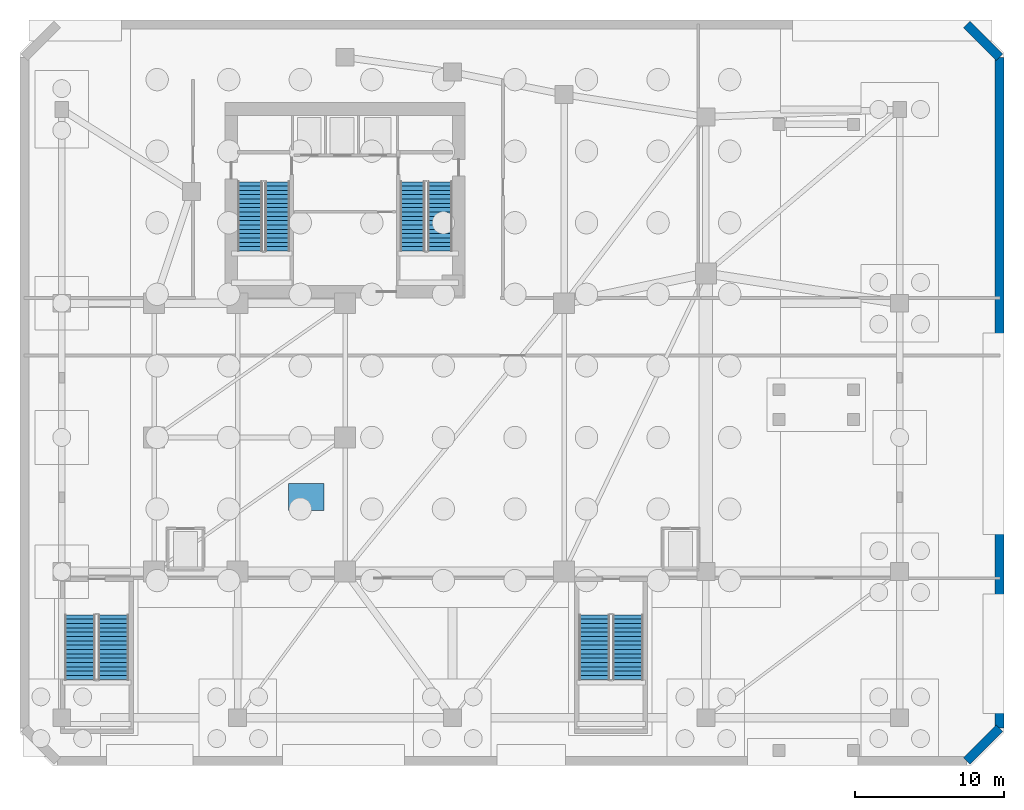
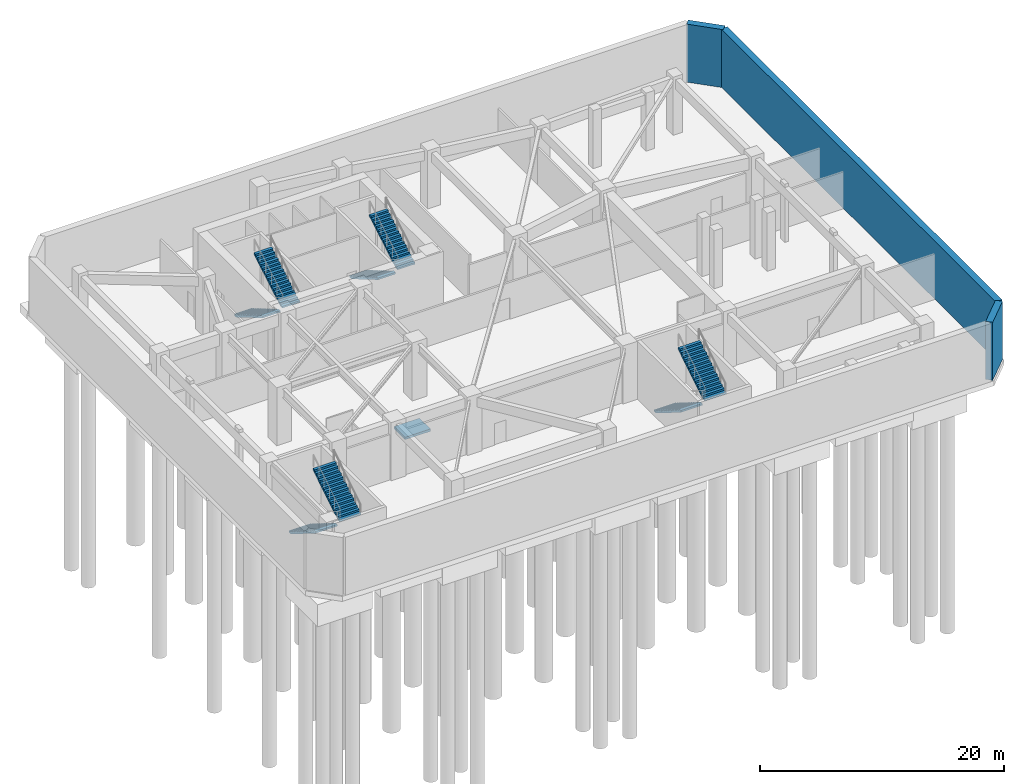
# One storey, part 6 of 9: 8 stair flights, 3 walls, 1 ramp flight, 5 elements without a shape of their own.
"""IFC4 building model written with IfcOpenShell, lengths in metres."""

from ifc_helpers import new_model, si_unit, direction, frame, frame_2d, origin, place, context, subcontext, project, spatial, polyline, rectangle, outline, extrude, material, layer, layer_set, type_object, element, aggregate, save


model = new_model("IFC4")

# Units and contexts
model_context = context("Model", 3, precision=1e-05, world=origin(), true_north=direction((0.0, 1.0)))
body_context = subcontext(model_context, "Body", "Model", "MODEL_VIEW")
ifc_project = project(units=[si_unit("LENGTHUNIT", "METRE"), si_unit("AREAUNIT", "SQUARE_METRE"), si_unit("VOLUMEUNIT", "CUBIC_METRE"), si_unit("PLANEANGLEUNIT", "RADIAN"), si_unit("MASSUNIT", "GRAM", prefix="KILO")], contexts=[model_context])

# Site, building, storey
site_placement = place(None, origin())
site = spatial("IfcSite", under=ifc_project, at=site_placement, CompositionType="ELEMENT")
building_placement = place(site_placement, origin())
building = spatial("IfcBuilding", under=site, at=building_placement, Name="Calvemar Wedge Station Tower", CompositionType="ELEMENT")
storey_placement = place(building_placement, frame((0.0, 0.0, -11.199951171875)))
storey = spatial("IfcBuildingStorey", under=building, at=storey_placement, Name="B02", CompositionType="ELEMENT", Elevation=-11.199951171875)

# Walls
ifc_material_1 = material(Name="Concrete C50", Category="concrete")
ifc_layer_1 = layer(ifc_material_1, 0.60009765625)
ifc_layer_set_1 = layer_set([ifc_layer_1], Name="Concrete C50")
wall_type = type_object("IfcWallType", Name="SW-CORE-RET-600", PredefinedType="SHEAR", material=ifc_layer_set_1)
wall_1_placement = place(storey_placement, frame((65.5, 2.300048828125, 0.0), z_axis=(0.0, 0.0, 1.0), x_axis=(0.707106781187, 0.707106781187, 0.0)))
element("IfcWall", 1, at=wall_1_placement, inside=storey, type_object=wall_type, Name="Basement B02 Diaphragm Retaining Wall 2", PredefinedType="SHEAR", context=body_context, shape_type="SweptSolid", body=[
    extrude(rectangle(XDim=3.111083984375, YDim=0.60009765625, at=frame_2d((1.5556640625, 0.0))), origin(), (0.0, 0.0, 1.0), 5.800048828125),
])
wall_2_placement = place(storey_placement, frame((67.699951171875, 4.5, 0.0), z_axis=(0.0, 0.0, 1.0), x_axis=(0.0, 1.0, 0.0)))
element("IfcWall", 2, at=wall_2_placement, inside=storey, type_object=wall_type, Name="Basement B02 Diaphragm Retaining Wall 3", PredefinedType="SHEAR", context=body_context, shape_type="SweptSolid", body=[
    extrude(rectangle(XDim=45.0, YDim=0.60009765625, at=frame_2d((22.5, 0.0))), origin(), (0.0, 0.0, 1.0), 5.800048828125),
])
wall_3_placement = place(storey_placement, frame((67.699951171875, 49.5, 0.0), z_axis=(0.0, 0.0, 1.0), x_axis=(-0.707106781187, 0.707106781187, 0.0)))
element("IfcWall", 3, at=wall_3_placement, inside=storey, type_object=wall_type, Name="Basement B02 Diaphragm Retaining Wall 4", PredefinedType="SHEAR", context=body_context, shape_type="SweptSolid", body=[
    extrude(rectangle(XDim=3.111083984375, YDim=0.60009765625, at=frame_2d((1.5556640625, 0.0))), origin(), (0.0, 0.0, 1.0), 5.800048828125),
])

# Stair, stair flights
ifc_material_2 = material(Name="Concrete C45", Category="concrete")
stair_type_1 = type_object("IfcStairType", Name="ST-TYPE-5800", PredefinedType="HALF_TURN_STAIR", material=ifc_material_2)
stair_1_placement = place(storey_placement, origin())
stair_1 = element("IfcStair", 4, at=stair_1_placement, inside=storey, type_object=stair_type_1, Name="B02 Pressurized Core Exit Stair ST-C1", PredefinedType="HALF_TURN_STAIR")
stair_flight_type_1 = type_object("IfcStairFlightType", Name="STF-TYPE-5800", PredefinedType="STRAIGHT", material=ifc_material_2)
stair_flight_1_placement = place(storey_placement, frame((17.429931640625, 41.14990234375, 0.0), z_axis=(0.0, 0.0, 1.0), x_axis=(0.0, -1.0, 0.0)))
stair_flight_1 = element("IfcStairFlight", 5, at=stair_flight_1_placement, type_object=stair_flight_type_1, Name="ST-C1 flight 1", NumberOfRisers=17, NumberOfTreads=16, PredefinedType="STRAIGHT", RiserHeight=0.170588235, TreadLength=0.29, context=body_context, shape_type="SweptSolid", body=[
    extrude(outline(polyline([(0.0, 0.0), (0.0, 0.170654296875), (0.2900390625, 0.170654296875), (0.2900390625, 0.341064453125), (0.580078125, 0.341064453125), (0.580078125, 0.51171875), (0.8701171875, 0.51171875), (0.8701171875, 0.682373046875), (1.159912109375, 0.682373046875), (1.159912109375, 0.85302734375), (1.449951171875, 0.85302734375), (1.449951171875, 1.0234375), (1.739990234375, 1.0234375), (1.739990234375, 1.194091796875), (2.030029296875, 1.194091796875), (2.030029296875, 1.36474609375), (2.320068359375, 1.36474609375), (2.320068359375, 1.535400390625), (2.610107421875, 1.535400390625), (2.610107421875, 1.705810546875), (2.89990234375, 1.705810546875), (2.89990234375, 1.87646484375), (3.18994140625, 1.87646484375), (3.18994140625, 2.047119140625), (3.47998046875, 2.047119140625), (3.47998046875, 2.217529296875), (3.77001953125, 2.217529296875), (3.77001953125, 2.38818359375), (4.06005859375, 2.38818359375), (4.06005859375, 2.558837890625), (4.35009765625, 2.558837890625), (4.35009765625, 2.7294921875), (4.639892578125, 2.7294921875), (4.639892578125, 2.89990234375), (4.639892578125, 2.555419921875), (0.295654296875, 0.0), (0.0, 0.0)])), frame((0.0, 0.830078125, 0.0), z_axis=(0.0, -1.0, 0.0), x_axis=(1.0, 0.0, 0.0)), (0.0, 0.0, 1.0), 1.659912109375),
])
stair_flight_2_placement = place(storey_placement, frame((19.27001953125, 36.510009765625, 2.89990234375), z_axis=(0.0, 0.0, 1.0), x_axis=(0.0, 1.0, 0.0)))
stair_flight_2 = element("IfcStairFlight", 6, at=stair_flight_2_placement, type_object=stair_flight_type_1, Name="ST-C1 flight 2", NumberOfRisers=17, NumberOfTreads=16, PredefinedType="STRAIGHT", RiserHeight=0.170588235, TreadLength=0.29, context=body_context, shape_type="SweptSolid", body=[
    extrude(outline(polyline([(0.0, 0.0), (0.0, 0.170654296875), (0.2900390625, 0.170654296875), (0.2900390625, 0.341064453125), (0.580078125, 0.341064453125), (0.580078125, 0.51171875), (0.8701171875, 0.51171875), (0.8701171875, 0.682373046875), (1.159912109375, 0.682373046875), (1.159912109375, 0.85302734375), (1.449951171875, 0.85302734375), (1.449951171875, 1.0234375), (1.739990234375, 1.0234375), (1.739990234375, 1.194091796875), (2.030029296875, 1.194091796875), (2.030029296875, 1.36474609375), (2.320068359375, 1.36474609375), (2.320068359375, 1.535400390625), (2.610107421875, 1.535400390625), (2.610107421875, 1.705810546875), (2.89990234375, 1.705810546875), (2.89990234375, 1.87646484375), (3.18994140625, 1.87646484375), (3.18994140625, 2.047119140625), (3.47998046875, 2.047119140625), (3.47998046875, 2.217529296875), (3.77001953125, 2.217529296875), (3.77001953125, 2.38818359375), (4.06005859375, 2.38818359375), (4.06005859375, 2.558837890625), (4.35009765625, 2.558837890625), (4.35009765625, 2.7294921875), (4.639892578125, 2.7294921875), (4.639892578125, 2.89990234375), (4.639892578125, 2.555419921875), (0.295654296875, 0.0), (0.0, 0.0)])), frame((0.0, 0.830078125, 0.0), z_axis=(0.0, -1.0, 0.0), x_axis=(1.0, 0.0, 0.0)), (0.0, 0.0, 1.0), 1.659912109375),
])
aggregate(stair_1, [stair_flight_1, stair_flight_2])

stair_2_placement = place(storey_placement, origin())
stair_2 = element("IfcStair", 7, at=stair_2_placement, inside=storey, type_object=stair_type_1, Name="B02 Pressurized Core Exit Stair ST-C2", PredefinedType="HALF_TURN_STAIR")
stair_flight_3_placement = place(storey_placement, frame((28.330078125, 41.14990234375, 0.0), z_axis=(0.0, 0.0, 1.0), x_axis=(0.0, -1.0, 0.0)))
stair_flight_3 = element("IfcStairFlight", 8, at=stair_flight_3_placement, type_object=stair_flight_type_1, Name="ST-C2 flight 1", NumberOfRisers=17, NumberOfTreads=16, PredefinedType="STRAIGHT", RiserHeight=0.170588235, TreadLength=0.29, context=body_context, shape_type="SweptSolid", body=[
    extrude(outline(polyline([(0.0, 0.0), (0.0, 0.170654296875), (0.2900390625, 0.170654296875), (0.2900390625, 0.341064453125), (0.580078125, 0.341064453125), (0.580078125, 0.51171875), (0.8701171875, 0.51171875), (0.8701171875, 0.682373046875), (1.159912109375, 0.682373046875), (1.159912109375, 0.85302734375), (1.449951171875, 0.85302734375), (1.449951171875, 1.0234375), (1.739990234375, 1.0234375), (1.739990234375, 1.194091796875), (2.030029296875, 1.194091796875), (2.030029296875, 1.36474609375), (2.320068359375, 1.36474609375), (2.320068359375, 1.535400390625), (2.610107421875, 1.535400390625), (2.610107421875, 1.705810546875), (2.89990234375, 1.705810546875), (2.89990234375, 1.87646484375), (3.18994140625, 1.87646484375), (3.18994140625, 2.047119140625), (3.47998046875, 2.047119140625), (3.47998046875, 2.217529296875), (3.77001953125, 2.217529296875), (3.77001953125, 2.38818359375), (4.06005859375, 2.38818359375), (4.06005859375, 2.558837890625), (4.35009765625, 2.558837890625), (4.35009765625, 2.7294921875), (4.639892578125, 2.7294921875), (4.639892578125, 2.89990234375), (4.639892578125, 2.555419921875), (0.295654296875, 0.0), (0.0, 0.0)])), frame((0.0, 0.830078125, 0.0), z_axis=(0.0, -1.0, 0.0), x_axis=(1.0, 0.0, 0.0)), (0.0, 0.0, 1.0), 1.659912109375),
])
stair_flight_4_placement = place(storey_placement, frame((30.169921875, 36.510009765625, 2.89990234375), z_axis=(0.0, 0.0, 1.0), x_axis=(0.0, 1.0, 0.0)))
stair_flight_4 = element("IfcStairFlight", 9, at=stair_flight_4_placement, type_object=stair_flight_type_1, Name="ST-C2 flight 2", NumberOfRisers=17, NumberOfTreads=16, PredefinedType="STRAIGHT", RiserHeight=0.170588235, TreadLength=0.29, context=body_context, shape_type="SweptSolid", body=[
    extrude(outline(polyline([(0.0, 0.0), (0.0, 0.170654296875), (0.2900390625, 0.170654296875), (0.2900390625, 0.341064453125), (0.580078125, 0.341064453125), (0.580078125, 0.51171875), (0.8701171875, 0.51171875), (0.8701171875, 0.682373046875), (1.159912109375, 0.682373046875), (1.159912109375, 0.85302734375), (1.449951171875, 0.85302734375), (1.449951171875, 1.0234375), (1.739990234375, 1.0234375), (1.739990234375, 1.194091796875), (2.030029296875, 1.194091796875), (2.030029296875, 1.36474609375), (2.320068359375, 1.36474609375), (2.320068359375, 1.535400390625), (2.610107421875, 1.535400390625), (2.610107421875, 1.705810546875), (2.89990234375, 1.705810546875), (2.89990234375, 1.87646484375), (3.18994140625, 1.87646484375), (3.18994140625, 2.047119140625), (3.47998046875, 2.047119140625), (3.47998046875, 2.217529296875), (3.77001953125, 2.217529296875), (3.77001953125, 2.38818359375), (4.06005859375, 2.38818359375), (4.06005859375, 2.558837890625), (4.35009765625, 2.558837890625), (4.35009765625, 2.7294921875), (4.639892578125, 2.7294921875), (4.639892578125, 2.89990234375), (4.639892578125, 2.555419921875), (0.295654296875, 0.0), (0.0, 0.0)])), frame((0.0, 0.830078125, 0.0), z_axis=(0.0, -1.0, 0.0), x_axis=(1.0, 0.0, 0.0)), (0.0, 0.0, 1.0), 1.659912109375),
])
aggregate(stair_2, [stair_flight_3, stair_flight_4])

stair_type_2 = type_object("IfcStairType", Name="ST-TYPE-POD5800", PredefinedType="HALF_TURN_STAIR", material=ifc_material_2)
stair_3_placement = place(storey_placement, origin())
stair_3 = element("IfcStair", 10, at=stair_3_placement, inside=storey, type_object=stair_type_2, Name="B02 Station Podium Exit Stair ST-P1", PredefinedType="HALF_TURN_STAIR")
stair_flight_type_2 = type_object("IfcStairFlightType", Name="STF-TYPE-POD5800", PredefinedType="STRAIGHT", material=ifc_material_2)
stair_flight_5_placement = place(storey_placement, frame((6.02490234375, 12.10009765625, 0.0), z_axis=(0.0, 0.0, 1.0), x_axis=(0.0, -1.0, 0.0)))
stair_flight_5 = element("IfcStairFlight", 11, at=stair_flight_5_placement, type_object=stair_flight_type_2, Name="ST-P1 flight 1", NumberOfRisers=16, NumberOfTreads=15, PredefinedType="STRAIGHT", RiserHeight=0.18125, TreadLength=0.29, context=body_context, shape_type="SweptSolid", body=[
    extrude(outline(polyline([(0.0, 0.0), (0.0, 0.18115234375), (0.2900390625, 0.18115234375), (0.2900390625, 0.362548828125), (0.580078125, 0.362548828125), (0.580078125, 0.543701171875), (0.8701171875, 0.543701171875), (0.8701171875, 0.72509765625), (1.159912109375, 0.72509765625), (1.159912109375, 0.90625), (1.449951171875, 0.90625), (1.449951171875, 1.08740234375), (1.739990234375, 1.08740234375), (1.739990234375, 1.268798828125), (2.030029296875, 1.268798828125), (2.030029296875, 1.449951171875), (2.320068359375, 1.449951171875), (2.320068359375, 1.63134765625), (2.610107421875, 1.63134765625), (2.610107421875, 1.8125), (2.89990234375, 1.8125), (2.89990234375, 1.99365234375), (3.18994140625, 1.99365234375), (3.18994140625, 2.175048828125), (3.47998046875, 2.175048828125), (3.47998046875, 2.356201171875), (3.77001953125, 2.356201171875), (3.77001953125, 2.53759765625), (4.06005859375, 2.53759765625), (4.06005859375, 2.71875), (4.35009765625, 2.71875), (4.35009765625, 2.89990234375), (4.35009765625, 2.5419921875), (0.28271484375, 0.0), (0.0, 0.0)])), frame((0.0, 1.02490234375, 0.0), z_axis=(0.0, -1.0, 0.0), x_axis=(1.0, 0.0, 0.0)), (0.0, 0.0, 1.0), 2.050048828125),
])
stair_flight_6_placement = place(storey_placement, frame((8.27490234375, 7.75, 2.89990234375), z_axis=(0.0, 0.0, 1.0), x_axis=(0.0, 1.0, 0.0)))
stair_flight_6 = element("IfcStairFlight", 12, at=stair_flight_6_placement, type_object=stair_flight_type_2, Name="ST-P1 flight 2", NumberOfRisers=16, NumberOfTreads=15, PredefinedType="STRAIGHT", RiserHeight=0.18125, TreadLength=0.29, context=body_context, shape_type="SweptSolid", body=[
    extrude(outline(polyline([(0.0, 0.0), (0.0, 0.18115234375), (0.2900390625, 0.18115234375), (0.2900390625, 0.362548828125), (0.580078125, 0.362548828125), (0.580078125, 0.543701171875), (0.8701171875, 0.543701171875), (0.8701171875, 0.72509765625), (1.159912109375, 0.72509765625), (1.159912109375, 0.90625), (1.449951171875, 0.90625), (1.449951171875, 1.08740234375), (1.739990234375, 1.08740234375), (1.739990234375, 1.268798828125), (2.030029296875, 1.268798828125), (2.030029296875, 1.449951171875), (2.320068359375, 1.449951171875), (2.320068359375, 1.63134765625), (2.610107421875, 1.63134765625), (2.610107421875, 1.8125), (2.89990234375, 1.8125), (2.89990234375, 1.99365234375), (3.18994140625, 1.99365234375), (3.18994140625, 2.175048828125), (3.47998046875, 2.175048828125), (3.47998046875, 2.356201171875), (3.77001953125, 2.356201171875), (3.77001953125, 2.53759765625), (4.06005859375, 2.53759765625), (4.06005859375, 2.71875), (4.35009765625, 2.71875), (4.35009765625, 2.89990234375), (4.35009765625, 2.5419921875), (0.28271484375, 0.0), (0.0, 0.0)])), frame((0.0, 1.02490234375, 0.0), z_axis=(0.0, -1.0, 0.0), x_axis=(1.0, 0.0, 0.0)), (0.0, 0.0, 1.0), 2.050048828125),
])
aggregate(stair_3, [stair_flight_5, stair_flight_6])

stair_4_placement = place(storey_placement, origin())
stair_4 = element("IfcStair", 13, at=stair_4_placement, inside=storey, type_object=stair_type_2, Name="B02 Station Podium Exit Stair ST-P2", PredefinedType="HALF_TURN_STAIR")
stair_flight_7_placement = place(storey_placement, frame((40.52490234375, 12.10009765625, 0.0), z_axis=(0.0, 0.0, 1.0), x_axis=(0.0, -1.0, 0.0)))
stair_flight_7 = element("IfcStairFlight", 14, at=stair_flight_7_placement, type_object=stair_flight_type_2, Name="ST-P2 flight 1", NumberOfRisers=16, NumberOfTreads=15, PredefinedType="STRAIGHT", RiserHeight=0.18125, TreadLength=0.29, context=body_context, shape_type="SweptSolid", body=[
    extrude(outline(polyline([(0.0, 0.0), (0.0, 0.18115234375), (0.2900390625, 0.18115234375), (0.2900390625, 0.362548828125), (0.580078125, 0.362548828125), (0.580078125, 0.543701171875), (0.8701171875, 0.543701171875), (0.8701171875, 0.72509765625), (1.159912109375, 0.72509765625), (1.159912109375, 0.90625), (1.449951171875, 0.90625), (1.449951171875, 1.08740234375), (1.739990234375, 1.08740234375), (1.739990234375, 1.268798828125), (2.030029296875, 1.268798828125), (2.030029296875, 1.449951171875), (2.320068359375, 1.449951171875), (2.320068359375, 1.63134765625), (2.610107421875, 1.63134765625), (2.610107421875, 1.8125), (2.89990234375, 1.8125), (2.89990234375, 1.99365234375), (3.18994140625, 1.99365234375), (3.18994140625, 2.175048828125), (3.47998046875, 2.175048828125), (3.47998046875, 2.356201171875), (3.77001953125, 2.356201171875), (3.77001953125, 2.53759765625), (4.06005859375, 2.53759765625), (4.06005859375, 2.71875), (4.35009765625, 2.71875), (4.35009765625, 2.89990234375), (4.35009765625, 2.5419921875), (0.28271484375, 0.0), (0.0, 0.0)])), frame((0.0, 1.02490234375, 0.0), z_axis=(0.0, -1.0, 0.0), x_axis=(1.0, 0.0, 0.0)), (0.0, 0.0, 1.0), 2.050048828125),
])
stair_flight_8_placement = place(storey_placement, frame((42.77490234375, 7.75, 2.89990234375), z_axis=(0.0, 0.0, 1.0), x_axis=(0.0, 1.0, 0.0)))
stair_flight_8 = element("IfcStairFlight", 15, at=stair_flight_8_placement, type_object=stair_flight_type_2, Name="ST-P2 flight 2", NumberOfRisers=16, NumberOfTreads=15, PredefinedType="STRAIGHT", RiserHeight=0.18125, TreadLength=0.29, context=body_context, shape_type="SweptSolid", body=[
    extrude(outline(polyline([(0.0, 0.0), (0.0, 0.18115234375), (0.2900390625, 0.18115234375), (0.2900390625, 0.362548828125), (0.580078125, 0.362548828125), (0.580078125, 0.543701171875), (0.8701171875, 0.543701171875), (0.8701171875, 0.72509765625), (1.159912109375, 0.72509765625), (1.159912109375, 0.90625), (1.449951171875, 0.90625), (1.449951171875, 1.08740234375), (1.739990234375, 1.08740234375), (1.739990234375, 1.268798828125), (2.030029296875, 1.268798828125), (2.030029296875, 1.449951171875), (2.320068359375, 1.449951171875), (2.320068359375, 1.63134765625), (2.610107421875, 1.63134765625), (2.610107421875, 1.8125), (2.89990234375, 1.8125), (2.89990234375, 1.99365234375), (3.18994140625, 1.99365234375), (3.18994140625, 2.175048828125), (3.47998046875, 2.175048828125), (3.47998046875, 2.356201171875), (3.77001953125, 2.356201171875), (3.77001953125, 2.53759765625), (4.06005859375, 2.53759765625), (4.06005859375, 2.71875), (4.35009765625, 2.71875), (4.35009765625, 2.89990234375), (4.35009765625, 2.5419921875), (0.28271484375, 0.0), (0.0, 0.0)])), frame((0.0, 1.02490234375, 0.0), z_axis=(0.0, -1.0, 0.0), x_axis=(1.0, 0.0, 0.0)), (0.0, 0.0, 1.0), 2.050048828125),
])
aggregate(stair_4, [stair_flight_7, stair_flight_8])

# Ramp, ramp flight
ifc_layer_2 = layer(ifc_material_2, 0.239990234375)
ifc_layer_set_2 = layer_set([ifc_layer_2], Name="Concrete C45")
ramp_type = type_object("IfcRampType", Name="RAMP-PED-1", PredefinedType="STRAIGHT_RUN_RAMP", material=ifc_layer_set_2)
ramp_placement = place(storey_placement, origin())
ramp = element("IfcRamp", 16, at=ramp_placement, inside=storey, type_object=ramp_type, Name="B02 VLT Platform Threshold Accessible Ramp", PredefinedType="STRAIGHT_RUN_RAMP")
ifc_layer_3 = layer(ifc_material_2, 0.239990234375)
ifc_layer_set_3 = layer_set([ifc_layer_3], Name="Concrete C45")
ramp_flight_type = type_object("IfcRampFlightType", Name="RFL-PED-240", PredefinedType="STRAIGHT", material=ifc_layer_set_3)
ramp_flight_placement = place(storey_placement, frame((20.0, 19.10009765625, 0.0), z_axis=(0.0, 0.0, 1.0), x_axis=(1.0, 0.0, 0.0)))
ramp_flight = element("IfcRampFlight", 17, at=ramp_flight_placement, type_object=ramp_flight_type, Name="B02 VLT Platform Threshold Accessible Ramp Flight", PredefinedType="STRAIGHT", context=body_context, shape_type="SweptSolid", body=[
    extrude(outline(polyline([(0.0, 0.0), (2.39990234375, 0.0), (2.39990234375, 0.224853515625), (2.39990234375, 0.449951171875), (2.39990234375, 0.6748046875), (2.39990234375, 0.89990234375), (2.39990234375, 1.125), (2.39990234375, 1.349853515625), (2.39990234375, 1.574951171875), (2.39990234375, 1.7998046875), (0.0, 1.7998046875), (0.0, 1.574951171875), (0.0, 1.349853515625), (0.0, 1.125), (0.0, 0.89990234375), (0.0, 0.6748046875), (0.0, 0.449951171875), (0.0, 0.224853515625), (0.0, 0.0)])), origin(), (0.0, 0.0, -1.0), 0.239990234375),
])
aggregate(ramp, [ramp_flight])

save(model, "model.ifc")
